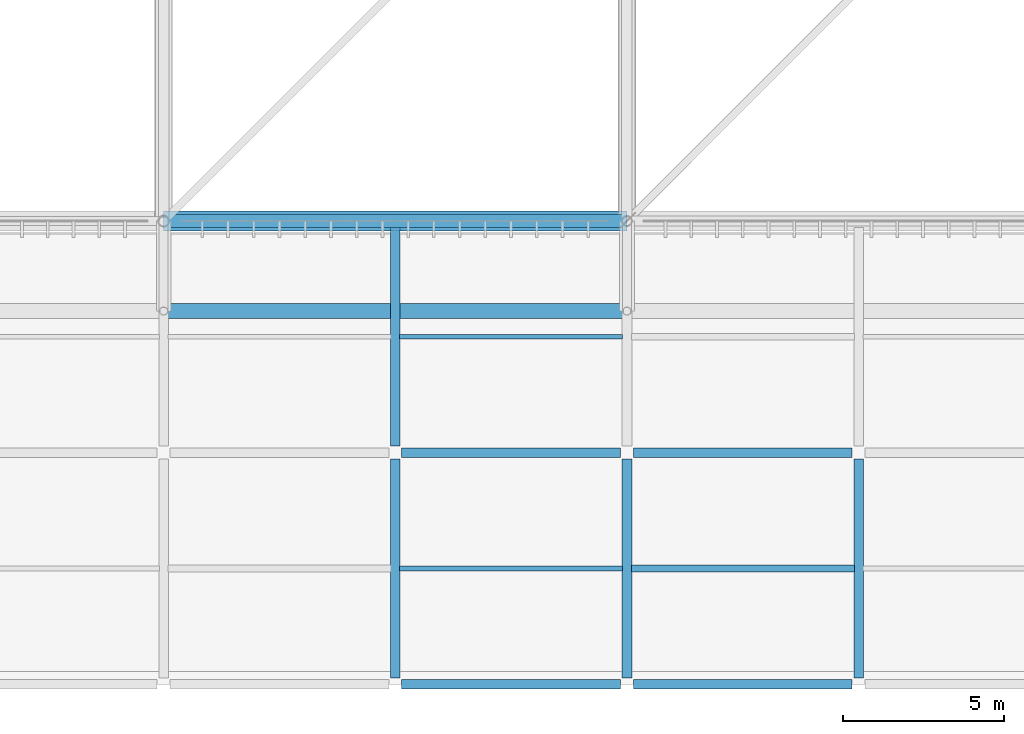
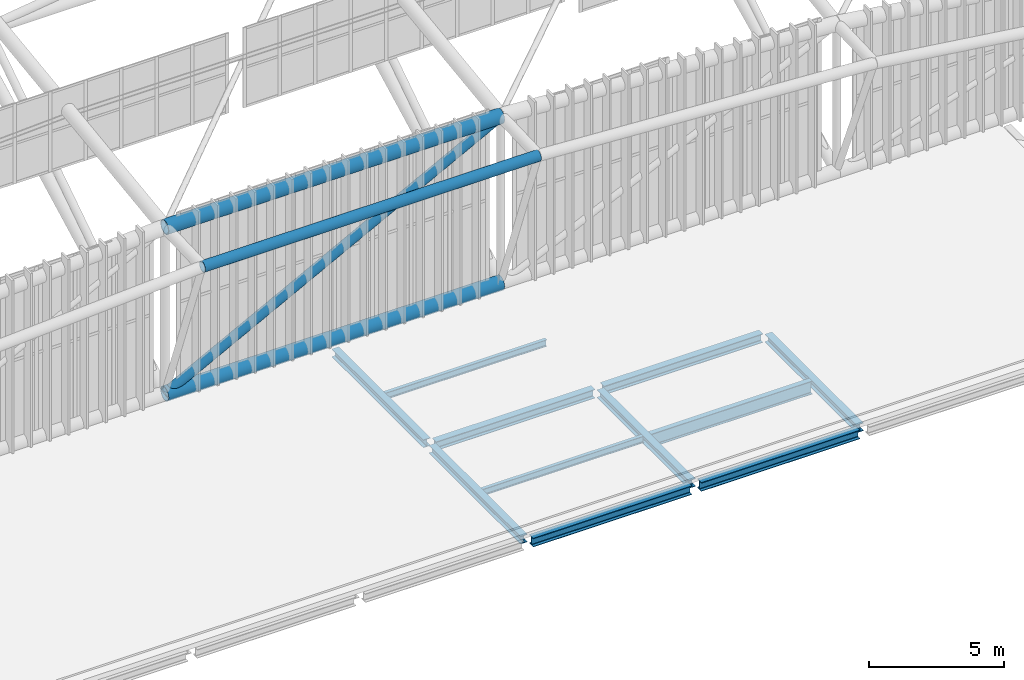
# One storey, part 76 of 397: 14 beams, 1 member.
"""IFC4 building model written with IfcOpenShell, lengths in metres."""

from ifc_helpers import new_model, si_unit, direction, frame, origin, origin_2d, place, context, subcontext, project, spatial, hollow_circle, i_section, extrude, material, material_profile, profile_set, type_object, element, save


model = new_model("IFC4")

# Units and contexts
model_context = context("Model", 3, precision=1e-05, world=origin(), true_north=direction((0.0, 1.0)))
body_context = subcontext(model_context, "Body", "Model", "MODEL_VIEW")
ifc_project = project(units=[si_unit("LENGTHUNIT", "METRE"), si_unit("AREAUNIT", "SQUARE_METRE"), si_unit("VOLUMEUNIT", "CUBIC_METRE"), si_unit("PLANEANGLEUNIT", "RADIAN"), si_unit("MASSUNIT", "GRAM", prefix="KILO")], contexts=[model_context])

# Site, building, storey
site_placement = place(None, origin())
site = spatial("IfcSite", under=ifc_project, at=site_placement, CompositionType="ELEMENT")
building_placement = place(site_placement, origin())
building = spatial("IfcBuilding", under=site, at=building_placement, Name="Qandorah Velis Arena", CompositionType="ELEMENT")
storey_placement = place(building_placement, frame((0.0, 0.0, 27.5)))
storey = spatial("IfcBuildingStorey", under=building, at=storey_placement, Name="RF", CompositionType="ELEMENT", Elevation=27.5)

# Beams
ifc_material_1 = material(Name="Steel S355", Category="steel")
ifc_material_profile_1 = material_profile(ifc_material_1, i_section(OverallWidth=0.300048828125, OverallDepth=0.360107421875, WebThickness=0.012451171875, FlangeThickness=0.0224609375, FilletRadius=0.027099609375, at=origin_2d()), Name="HEB 360")
ifc_profile_set_1 = profile_set([ifc_material_profile_1], Name="Steel S355")
beam_type_1 = type_object("IfcBeamType", Name="STR-BM-HEB360", PredefinedType="BEAM", material=ifc_profile_set_1)
for number, where, z_axis, x_axis, name in (
    (1, (64.800048828125, 0.199951171875, -0.39990234375), (0.0, 1.0, 0.0), (-1.0, 0.0, 0.0), "Primary floor girder RF Y-107"),
    (2, (64.800048828125, 7.39990234375, -0.39990234375), (0.0, 1.0, 0.0), (-1.0, 0.0, 0.0), "Primary floor girder RF Y-108"),
    (3, (72.0, 0.199951171875, -0.39990234375), (0.0, 1.0, 0.0), (-1.0, 0.0, 0.0), "Primary floor girder RF Y-111"),
    (4, (79.199951171875, 0.199951171875, -0.39990234375), (0.0, 1.0, 0.0), (-1.0, 0.0, 0.0), "Primary floor girder RF Y-115"),
):
    element("IfcBeam", number, at=place(storey_placement, frame(where, z_axis=z_axis, x_axis=x_axis)), inside=storey, type_object=beam_type_1, Name=name, PredefinedType="BEAM", context=body_context, shape_type="SweptSolid", body=[
        extrude(i_section(OverallWidth=0.300048828125, OverallDepth=0.360107421875, WebThickness=0.012451171875, FlangeThickness=0.0224609375, FilletRadius=0.027099609375, at=origin_2d()), origin(), (0.0, 0.0, 1.0), 6.800048828125),
    ])
ifc_material_profile_2 = material_profile(ifc_material_1, i_section(OverallWidth=0.300048828125, OverallDepth=0.39990234375, WebThickness=0.013427734375, FlangeThickness=0.02392578125, FilletRadius=0.027099609375, at=origin_2d()), Name="HEB 400")
ifc_profile_set_2 = profile_set([ifc_material_profile_2], Name="Steel S355")
beam_type_2 = type_object("IfcBeamType", Name="STR-BM-HEB400", PredefinedType="BEAM", material=ifc_profile_set_2)
for number, where, z_axis, x_axis, name in (
    (5, (65.0, 0.0, -0.419921875), (1.0, 0.0, 0.0), (0.0, 1.0, 0.0), "Primary floor girder RF X-006"),
    (6, (72.199951171875, 0.0, -0.419921875), (1.0, 0.0, 0.0), (0.0, 1.0, 0.0), "Primary floor girder RF X-007"),
    (7, (65.0, 7.199951171875, -0.419921875), (1.0, 0.0, 0.0), (0.0, 1.0, 0.0), "Primary floor girder RF X-015"),
    (8, (72.199951171875, 7.199951171875, -0.419921875), (1.0, 0.0, 0.0), (0.0, 1.0, 0.0), "Primary floor girder RF X-016"),
):
    element("IfcBeam", number, at=place(storey_placement, frame(where, z_axis=z_axis, x_axis=x_axis)), inside=storey, type_object=beam_type_2, Name=name, PredefinedType="BEAM", context=body_context, shape_type="SweptSolid", body=[
        extrude(i_section(OverallWidth=0.300048828125, OverallDepth=0.39990234375, WebThickness=0.013427734375, FlangeThickness=0.02392578125, FilletRadius=0.027099609375, at=origin_2d()), origin(), (0.0, 0.0, 1.0), 6.800048828125),
    ])
ifc_material_profile_3 = material_profile(ifc_material_1, i_section(OverallWidth=0.14990234375, OverallDepth=0.300048828125, WebThickness=0.007080078125, FlangeThickness=0.0107421875, FilletRadius=0.014892578125, at=origin_2d()), Name="IPE 300")
ifc_profile_set_3 = profile_set([ifc_material_profile_3], Name="Steel S355")
beam_type_3 = type_object("IfcBeamType", Name="STR-JST-IPE300", PredefinedType="JOIST", material=ifc_profile_set_3)
for number, where, z_axis, x_axis, name in (
    (9, (64.93505859375, 3.60009765625, -0.3701171875), (1.0, 0.0, 0.0), (0.0, 1.0, 0.0), "Secondary floor joist RF-033"),
    (10, (64.93505859375, 10.800048828125, -0.3701171875), (1.0, 0.0, 0.0), (0.0, 1.0, 0.0), "Secondary floor joist RF-034"),
):
    element("IfcBeam", number, at=place(storey_placement, frame(where, z_axis=z_axis, x_axis=x_axis)), inside=storey, type_object=beam_type_3, Name=name, PredefinedType="JOIST", context=body_context, shape_type="SweptSolid", body=[
        extrude(i_section(OverallWidth=0.14990234375, OverallDepth=0.300048828125, WebThickness=0.007080078125, FlangeThickness=0.0107421875, FilletRadius=0.014892578125, at=origin_2d()), origin(), (0.0, 0.0, 1.0), 6.929931640625),
    ])
ifc_material_profile_4 = material_profile(ifc_material_1, i_section(OverallWidth=0.219970703125, OverallDepth=0.60009765625, WebThickness=0.011962890625, FlangeThickness=0.01904296875, FilletRadius=0.02392578125, at=origin_2d()), Name="IPE 600")
ifc_profile_set_4 = profile_set([ifc_material_profile_4], Name="Steel S355")
beam_type_4 = type_object("IfcBeamType", Name="STR-JST-IPE600", PredefinedType="JOIST", material=ifc_profile_set_4)
beam_1_placement = place(storey_placement, frame((72.135009765625, 3.60009765625, -0.52001953125), z_axis=(1.0, 0.0, 0.0), x_axis=(0.0, 1.0, 0.0)))
element("IfcBeam", 11, at=beam_1_placement, inside=storey, type_object=beam_type_4, Name="Secondary floor joist RF-037", PredefinedType="JOIST", context=body_context, shape_type="SweptSolid", body=[
    extrude(i_section(OverallWidth=0.219970703125, OverallDepth=0.60009765625, WebThickness=0.011962890625, FlangeThickness=0.01904296875, FilletRadius=0.02392578125, at=origin_2d()), origin(), (0.0, 0.0, 1.0), 6.929931640625),
])
ifc_material_profile_5 = material_profile(ifc_material_1, hollow_circle(Radius=0.228515625, WallThickness=0.01611328125, at=origin_2d()), Name="CHS 457x16")
ifc_profile_set_5 = profile_set([ifc_material_profile_5], Name="Steel S355")
beam_type_5 = type_object("IfcBeamType", Name="STR-SFC-CHS457X16", PredefinedType="USERDEFINED", material=ifc_profile_set_5)
beam_2_placement = place(storey_placement, frame((57.60009765625, 11.60009765625, 7.555908203125), z_axis=(1.0, 0.0, 0.0), x_axis=(0.0, 1.0, 0.0)))
element("IfcBeam", 12, at=beam_2_placement, inside=storey, type_object=beam_type_5, Name="Space frame eave fascia ring S-3", ObjectType="ROOF TRUSS", PredefinedType="USERDEFINED", context=body_context, shape_type="SweptSolid", body=[
    extrude(hollow_circle(Radius=0.228515625, WallThickness=0.01611328125, at=origin_2d()), origin(), (0.0, 0.0, 1.0), 14.39990234375),
])
ifc_material_2 = material(Name="Steel S460", Category="steel")
ifc_material_profile_6 = material_profile(ifc_material_2, hollow_circle(Radius=0.304931640625, WallThickness=0.02490234375, at=origin_2d()), Name="CHS 610x25")
ifc_profile_set_6 = profile_set([ifc_material_profile_6], Name="Steel S460")
beam_type_6 = type_object("IfcBeamType", Name="STR-SFC-CHS610X25", PredefinedType="USERDEFINED", material=ifc_profile_set_6)
beam_3_placement = place(storey_placement, frame((57.60009765625, 14.39990234375, 0.10009765625), z_axis=(1.0, 0.0, 0.0), x_axis=(0.0, 1.0, 0.0)))
element("IfcBeam", 13, at=beam_3_placement, inside=storey, type_object=beam_type_6, Name="Space frame roof truss bottom chord X 3.0", ObjectType="ROOF TRUSS", PredefinedType="USERDEFINED", context=body_context, shape_type="SweptSolid", body=[
    extrude(hollow_circle(Radius=0.304931640625, WallThickness=0.02490234375, at=origin_2d()), origin(), (0.0, 0.0, 1.0), 14.39990234375),
])
ifc_material_profile_7 = material_profile(ifc_material_2, hollow_circle(Radius=0.304931640625, WallThickness=0.031982421875, at=origin_2d()), Name="CHS 610x32")
ifc_profile_set_7 = profile_set([ifc_material_profile_7], Name="Steel S460")
beam_type_7 = type_object("IfcBeamType", Name="STR-SFC-CHS610X32", PredefinedType="USERDEFINED", material=ifc_profile_set_7)
beam_4_placement = place(storey_placement, frame((57.60009765625, 14.39990234375, 7.65576171875), z_axis=(1.0, 0.0, 0.0), x_axis=(0.0, 1.0, 0.0)))
element("IfcBeam", 14, at=beam_4_placement, inside=storey, type_object=beam_type_7, Name="Space frame roof truss top chord X 3.0", ObjectType="ROOF TRUSS", PredefinedType="USERDEFINED", context=body_context, shape_type="SweptSolid", body=[
    extrude(hollow_circle(Radius=0.304931640625, WallThickness=0.031982421875, at=origin_2d()), origin(), (0.0, 0.0, 1.0), 14.39990234375),
])

# Member
ifc_material_profile_8 = material_profile(ifc_material_1, hollow_circle(Radius=0.203125, WallThickness=0.01611328125, at=origin_2d()), Name="CHS 406.4x16")
ifc_profile_set_8 = profile_set([ifc_material_profile_8], Name="Steel S355")
member_type = type_object("IfcMemberType", Name="STR-SFD-CHS406X16", PredefinedType="STRUT", material=ifc_profile_set_8)
member_placement = place(storey_placement, frame((57.60009765625, 14.39990234375, 0.10009765625), z_axis=(0.885506317762, 0.0, 0.464627335833), x_axis=(0.0, 1.0, 0.0)))
element("IfcMember", 15, at=member_placement, inside=storey, type_object=member_type, Name="Space frame roof diagonal X 3.0", PredefinedType="STRUT", context=body_context, shape_type="SweptSolid", body=[
    extrude(hollow_circle(Radius=0.203125, WallThickness=0.01611328125, at=origin_2d()), origin(), (0.0, 0.0, 1.0), 16.26171875),
])

save(model, "model.ifc")
